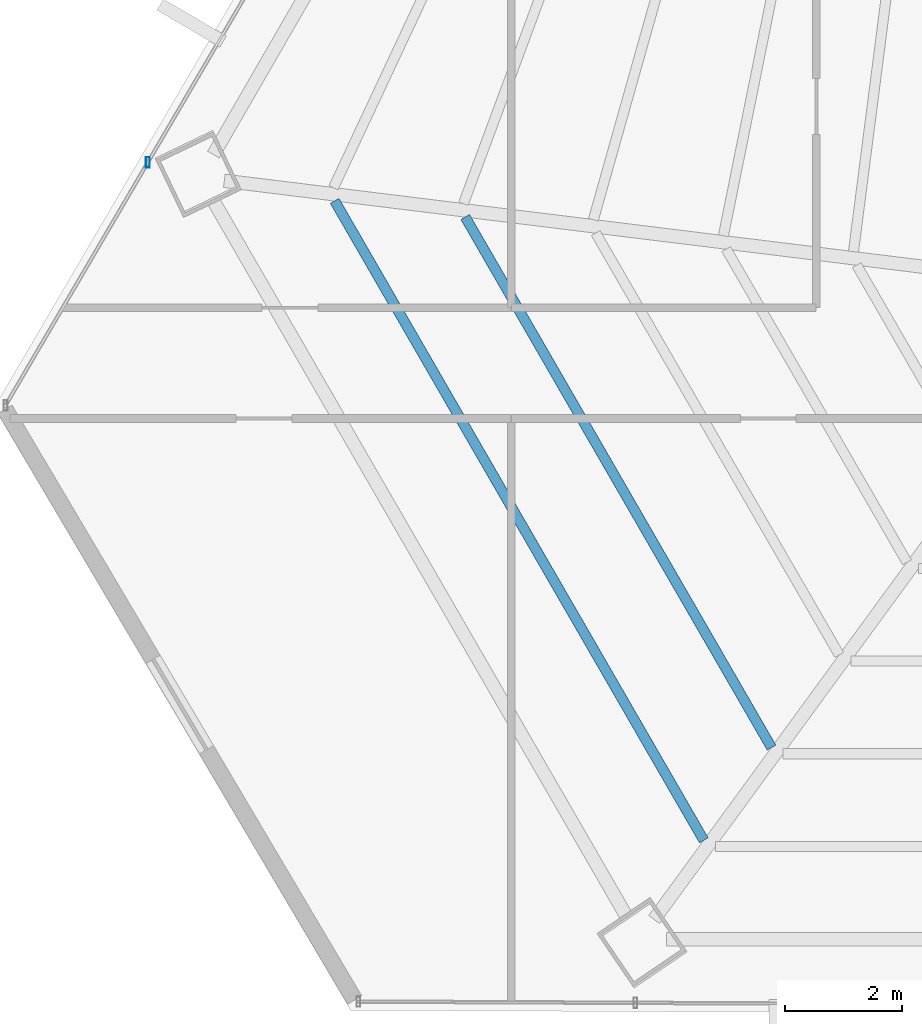
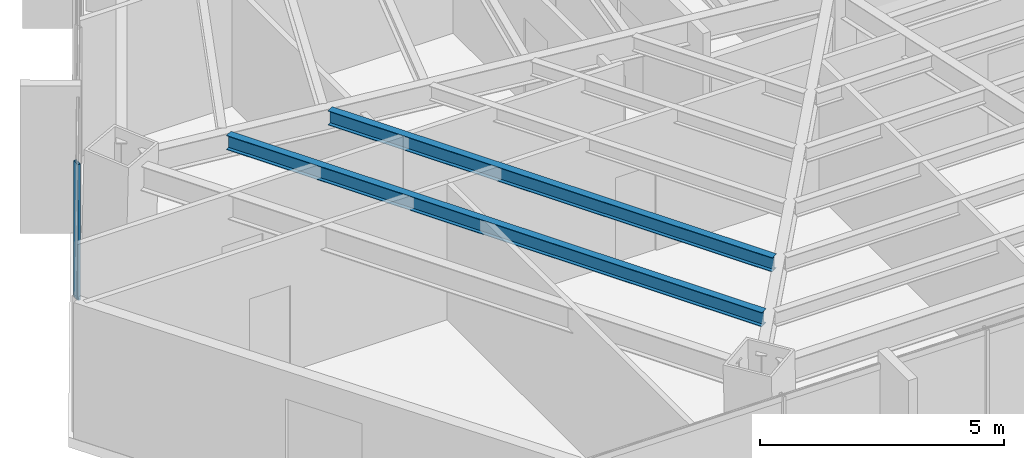
# One storey, part 7 of 35: 2 beams, 1 member, 1 element without a shape of its own.
"""IFC4 building model written with IfcOpenShell, lengths in metres."""

from ifc_helpers import new_model, si_unit, direction, frame, origin, origin_2d, place, context, subcontext, project, spatial, hollow_rectangle, i_section, extrude, source, transform, mapped, material, material_profile, profile_set, type_object, type_shapes, element, aggregate, save


model = new_model("IFC4")

# Units and contexts
model_context = context("Model", 3, precision=1e-05, world=origin(), true_north=direction((0.0, 1.0)))
body_context = subcontext(model_context, "Body", "Model", "MODEL_VIEW")
ifc_project = project(units=[si_unit("LENGTHUNIT", "METRE"), si_unit("AREAUNIT", "SQUARE_METRE"), si_unit("VOLUMEUNIT", "CUBIC_METRE"), si_unit("PLANEANGLEUNIT", "RADIAN"), si_unit("MASSUNIT", "GRAM", prefix="KILO")], contexts=[model_context])

# Site, building, storey
site_placement = place(None, origin())
site = spatial("IfcSite", under=ifc_project, at=site_placement, CompositionType="ELEMENT")
building_placement = place(site_placement, origin())
building = spatial("IfcBuilding", under=site, at=building_placement, Name="Caelisora Broadcast Tower", CompositionType="ELEMENT")
storey_placement = place(building_placement, frame((0.0, 0.0, 98.10009765625)))
storey = spatial("IfcBuildingStorey", under=building, at=storey_placement, Name="L25", CompositionType="ELEMENT", Elevation=98.10009765625)

# Beams
ifc_material_1 = material(Name="Steel Grade 350 (AS/NZS 3679.1)", Category="steel")
ifc_material_profile_1 = material_profile(ifc_material_1, i_section(OverallWidth=0.172119140625, OverallDepth=0.358642578125, WebThickness=0.008056640625, FlangeThickness=0.012939453125, at=origin_2d()), Name="Steel Grade 350 (AS/NZS 3679.1)")
ifc_profile_set_1 = profile_set([ifc_material_profile_1], Name="Steel Grade 350 (AS/NZS 3679.1)")
beam_type = type_object("IfcBeamType", Name="SB02", PredefinedType="JOIST", material=ifc_profile_set_1)
shared_shape_1 = source(origin(), body_context, "Body", "SweptSolid", [
    extrude(i_section(OverallWidth=0.172119140625, OverallDepth=0.358642578125, WebThickness=0.008056640625, FlangeThickness=0.012939453125, at=origin_2d()), origin(), (0.0, 0.0, 1.0), 10.51025390625),
])
beam_1_placement = place(storey_placement, frame((19.376220703125, 18.656494140625, 3.220703125), z_axis=(0.500003959331, -0.866023117852, 0.0), x_axis=(0.866023117852, 0.500003959331, 0.0)))
element("IfcBeam", 1, at=beam_1_placement, inside=storey, type_object=beam_type, Name="L25 beam SB02", PredefinedType="JOIST", context=body_context, shape_type="MappedRepresentation", body=[
    mapped(shared_shape_1, transform((0.0, 0.0, 0.0), scale=1.0)),
])
shared_shape_2 = source(origin(), body_context, "Body", "SweptSolid", [
    extrude(i_section(OverallWidth=0.172119140625, OverallDepth=0.358642578125, WebThickness=0.008056640625, FlangeThickness=0.012939453125, at=origin_2d()), origin(), (0.0, 0.0, 1.0), 12.664794921875),
])
type_shapes(beam_type, [shared_shape_1, shared_shape_2])
beam_2_placement = place(storey_placement, frame((17.137451171875, 18.93212890625, 3.220703125), z_axis=(0.49999333715, -0.866029250548, 0.0), x_axis=(0.866029250548, 0.49999333715, 0.0)))
element("IfcBeam", 2, at=beam_2_placement, inside=storey, type_object=beam_type, Name="L25 beam SB02", PredefinedType="JOIST", context=body_context, shape_type="MappedRepresentation", body=[
    mapped(shared_shape_2, transform((0.0, 0.0, 0.0), scale=1.0)),
])

# Curtain wall, member
ifc_material_2 = material(Name="Unitised Aluminium and Low-E Glass Curtain Wall", Category="glass")
curtain_wall_type = type_object("IfcCurtainWallType", Name="CW-Z2", PredefinedType="NOTDEFINED", material=ifc_material_2)
curtain_wall_placement = place(storey_placement, origin())
curtain_wall = element("IfcCurtainWall", 3, at=curtain_wall_placement, inside=storey, type_object=curtain_wall_type, Name="L25 curtain wall CW-Z2", PredefinedType="NOTDEFINED")
ifc_material_3 = material(Name="Aluminium 6063-T6 Anodised Terracotta Bronze", Category="aluminium")
ifc_material_profile_2 = material_profile(ifc_material_3, hollow_rectangle(XDim=0.06494140625, YDim=0.179931640625, WallThickness=0.00341796875, at=origin_2d()), Name="Aluminium 6063-T6 Anodised Terracotta Bronze")
ifc_profile_set_2 = profile_set([ifc_material_profile_2], Name="Aluminium 6063-T6 Anodised Terracotta Bronze")
member_type = type_object("IfcMemberType", Name="CWM-02", PredefinedType="MULLION", material=ifc_profile_set_2)
shared_shape_3 = source(origin(), body_context, "Body", "SweptSolid", [
    extrude(hollow_rectangle(XDim=0.06494140625, YDim=0.179931640625, WallThickness=0.00341796875, at=origin_2d()), origin(), (0.0, 0.0, 1.0), 3.39990234375),
])
type_shapes(member_type, [shared_shape_3])
member_placement = place(storey_placement, frame((13.93359375, 19.593017578125, 0.0), z_axis=(0.0, 0.0, 1.0), x_axis=(1.0, 0.0, 0.0)))
member = element("IfcMember", 4, at=member_placement, type_object=member_type, Name="L25-CW-B09 mullion #1", PredefinedType="MULLION", context=body_context, shape_type="MappedRepresentation", body=[
    mapped(shared_shape_3, transform((0.0, 0.0, 0.0), scale=1.0)),
])
aggregate(curtain_wall, [member])

save(model, "model.ifc")
